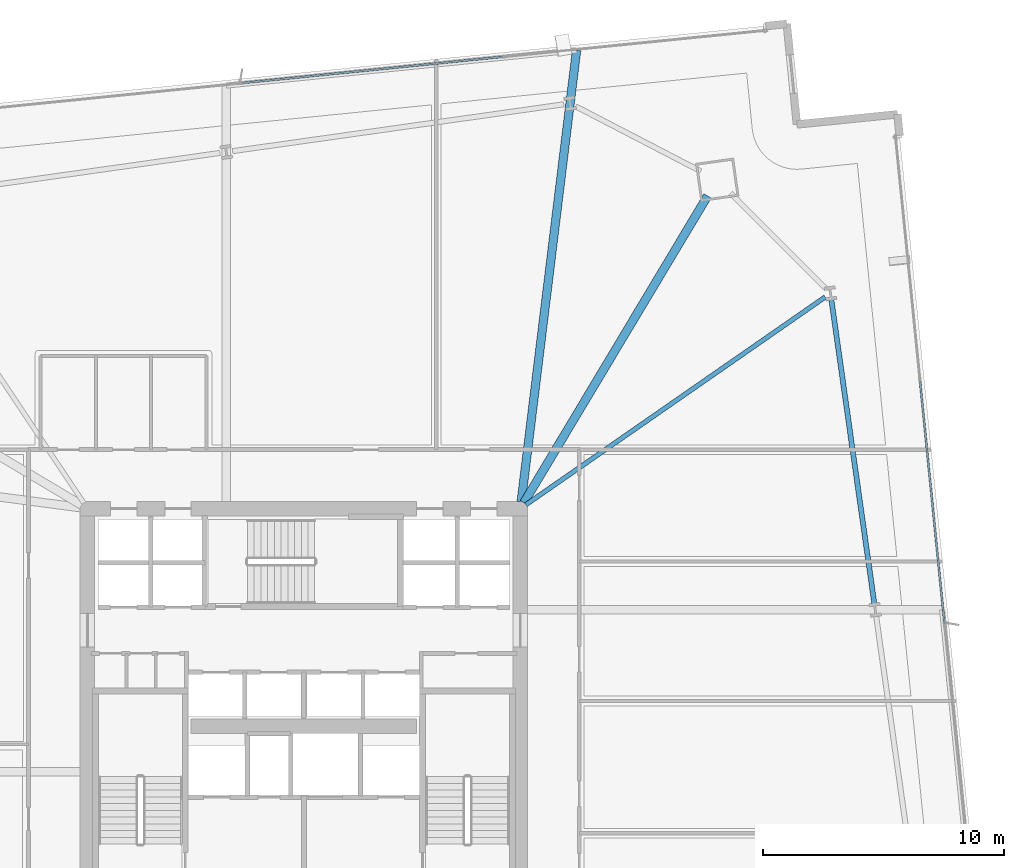
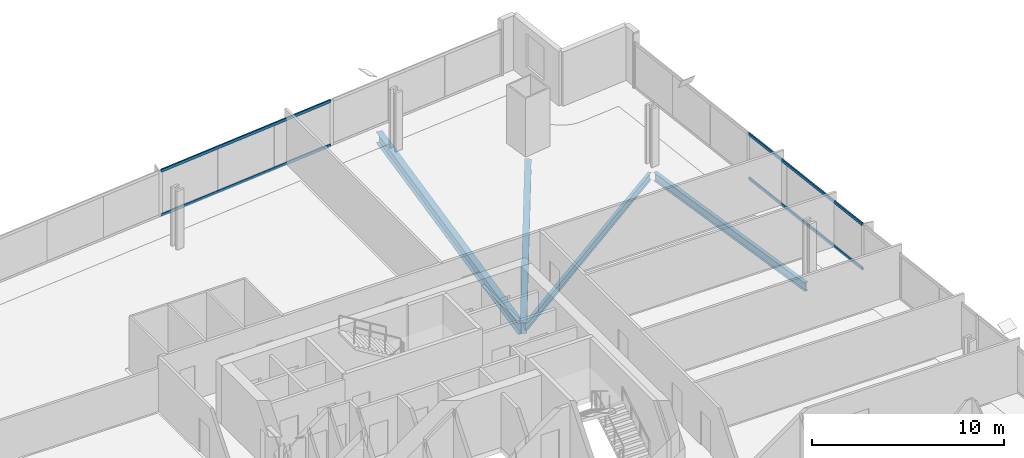
# One storey, part 20 of 33: 4 beams, 4 members, 2 elements without a shape of their own.
"""IFC4 building model written with IfcOpenShell, lengths in metres."""

from ifc_helpers import new_model, si_unit, direction, frame, origin, origin_2d, place, context, subcontext, project, spatial, hollow_rectangle, i_section, extrude, material, material_profile, profile_set, type_object, element, aggregate, save


model = new_model("IFC4")

# Units and contexts
model_context = context("Model", 3, precision=1e-05, world=origin(), true_north=direction((0.0, 1.0)))
body_context = subcontext(model_context, "Body", "Model", "MODEL_VIEW")
ifc_project = project(units=[si_unit("LENGTHUNIT", "METRE"), si_unit("AREAUNIT", "SQUARE_METRE"), si_unit("VOLUMEUNIT", "CUBIC_METRE"), si_unit("PLANEANGLEUNIT", "RADIAN"), si_unit("MASSUNIT", "GRAM", prefix="KILO")], contexts=[model_context])

# Site, building, storey
site_placement = place(None, origin())
site = spatial("IfcSite", under=ifc_project, at=site_placement, CompositionType="ELEMENT")
building_placement = place(site_placement, origin())
building = spatial("IfcBuilding", under=site, at=building_placement, Name="Haldenkirk Collegiate Tower", CompositionType="ELEMENT")
storey_placement = place(building_placement, frame((0.0, 0.0, 47.699951171875)))
storey = spatial("IfcBuildingStorey", under=building, at=storey_placement, Name="L10", CompositionType="ELEMENT", Elevation=47.699951171875)

# Beams
ifc_material_1 = material(Name="Steel ASTM A992 Grade 50", Category="steel")
ifc_material_profile_1 = material_profile(ifc_material_1, i_section(OverallWidth=0.35498046875, OverallDepth=0.696044921875, WebThickness=0.015380859375, FlangeThickness=0.02490234375, at=origin_2d()), Name="W27X146")
ifc_profile_set_1 = profile_set([ifc_material_profile_1], Name="Steel ASTM A992 Grade 50")
beam_type_1 = type_object("IfcBeamType", Name="BM-GIRDER-W27X146", PredefinedType="BEAM", material=ifc_profile_set_1)
beam_1_placement = place(storey_placement, frame((52.783935546875, 47.000732421875, -0.657958984375), z_axis=(-0.513696499257, -0.857971973115, 0.0), x_axis=(0.857971973115, -0.513696499257, 0.0)))
element("IfcBeam", 1, at=beam_1_placement, inside=storey, type_object=beam_type_1, Name="L10 primary floor girder 03", PredefinedType="BEAM", context=body_context, shape_type="SweptSolid", body=[
    extrude(i_section(OverallWidth=0.35498046875, OverallDepth=0.696044921875, WebThickness=0.015380859375, FlangeThickness=0.02490234375, at=origin_2d()), origin(), (0.0, 0.0, 1.0), 14.872802734375),
])
beam_2_placement = place(storey_placement, frame((47.336669921875, 53.052001953125, -0.657958984375), z_axis=(-0.121729343411, -0.992563331457, 0.0), x_axis=(0.992563331457, -0.121729343411, 0.0)))
element("IfcBeam", 2, at=beam_2_placement, inside=storey, type_object=beam_type_1, Name="L10 primary floor girder 11", PredefinedType="BEAM", context=body_context, shape_type="SweptSolid", body=[
    extrude(i_section(OverallWidth=0.35498046875, OverallDepth=0.696044921875, WebThickness=0.015380859375, FlangeThickness=0.02490234375, at=origin_2d()), origin(), (0.0, 0.0, 1.0), 18.914794921875),
])
ifc_material_profile_2 = material_profile(ifc_material_1, i_section(OverallWidth=0.19189453125, OverallDepth=0.462890625, WebThickness=0.010498046875, FlangeThickness=0.017578125, at=origin_2d()), Name="W18X60")
ifc_profile_set_2 = profile_set([ifc_material_profile_2], Name="Steel ASTM A992 Grade 50")
beam_type_2 = type_object("IfcBeamType", Name="BM-JOIST-W18X60", PredefinedType="JOIST", material=ifc_profile_set_2)
beam_3_placement = place(storey_placement, frame((57.675048828125, 42.7978515625, -0.54150390625), z_axis=(-0.821500606737, -0.570207640365, 0.0), x_axis=(0.570207640365, -0.821500606737, 0.0)))
element("IfcBeam", 3, at=beam_3_placement, inside=storey, type_object=beam_type_2, Name="L10 composite floor joist 10", PredefinedType="JOIST", context=body_context, shape_type="SweptSolid", body=[
    extrude(i_section(OverallWidth=0.19189453125, OverallDepth=0.462890625, WebThickness=0.010498046875, FlangeThickness=0.017578125, at=origin_2d()), origin(), (0.0, 0.0, 1.0), 15.149169921875),
])
ifc_material_profile_3 = material_profile(ifc_material_1, i_section(OverallWidth=0.2119140625, OverallDepth=0.5439453125, WebThickness=0.01318359375, FlangeThickness=0.021240234375, at=origin_2d()), Name="W21X83")
ifc_profile_set_3 = profile_set([ifc_material_profile_3], Name="Steel ASTM A992 Grade 50")
beam_type_3 = type_object("IfcBeamType", Name="BM-SPANDREL-W21X83", PredefinedType="SPANDREL", material=ifc_profile_set_3)
beam_4_placement = place(storey_placement, frame((59.716552734375, 30.050537109375, -0.58203125), z_axis=(-0.140052642207, 0.990144058918, 0.0), x_axis=(-0.990144058918, -0.140052642207, 0.0)))
element("IfcBeam", 4, at=beam_4_placement, inside=storey, type_object=beam_type_3, Name="L10 perimeter spandrel beam 07", PredefinedType="SPANDREL", context=body_context, shape_type="SweptSolid", body=[
    extrude(i_section(OverallWidth=0.2119140625, OverallDepth=0.5439453125, WebThickness=0.01318359375, FlangeThickness=0.021240234375, at=origin_2d()), origin(), (0.0, 0.0, 1.0), 12.761962890625),
])

# Curtain wall, members
ifc_material_2 = material(Name="Anodised architectural bronze aluminium", Category="aluminium")
curtain_wall_type = type_object("IfcCurtainWallType", Name="CW-SYS1-CONVEX-LOW", PredefinedType="USERDEFINED", material=ifc_material_2)
curtain_wall_1_placement = place(storey_placement, origin())
curtain_wall_1 = element("IfcCurtainWall", 5, at=curtain_wall_1_placement, inside=storey, type_object=curtain_wall_type, Name="L10 Lower tower convex bronze-framed unitised curtain wall", ObjectType="UNITISED CURTAIN WALL", PredefinedType="USERDEFINED")
ifc_material_profile_4 = material_profile(ifc_material_2, hollow_rectangle(XDim=0.080078125, YDim=0.179931640625, WallThickness=0.0048828125, at=origin_2d()), Name="CW-TRN-1A")
ifc_profile_set_4 = profile_set([ifc_material_profile_4], Name="Anodised architectural bronze aluminium")
member_type = type_object("IfcMemberType", Name="CW-TRN-1A", PredefinedType="USERDEFINED", material=ifc_profile_set_4)
member_1_placement = place(storey_placement, frame((61.6171875, 39.29345703125, 0.0400390625), z_axis=(0.100189214513, -0.994968402159, 0.0), x_axis=(0.994968402159, 0.100189214513, 0.0)))
member_1 = element("IfcMember", 6, at=member_1_placement, type_object=member_type, Name="CW-1A transom 2.1", ObjectType="TRANSOM", PredefinedType="USERDEFINED", context=body_context, shape_type="SweptSolid", body=[
    extrude(hollow_rectangle(XDim=0.080078125, YDim=0.179931640625, WallThickness=0.0048828125, at=origin_2d()), origin(), (0.0, 0.0, 1.0), 10.1201171875),
])
member_2_placement = place(storey_placement, frame((61.6171875, 39.29345703125, 2.85107421875), z_axis=(0.100189214513, -0.994968402159, 0.0), x_axis=(0.994968402159, 0.100189214513, 0.0)))
member_2 = element("IfcMember", 7, at=member_2_placement, type_object=member_type, Name="CW-1A transom 2.2", ObjectType="TRANSOM", PredefinedType="USERDEFINED", context=body_context, shape_type="SweptSolid", body=[
    extrude(hollow_rectangle(XDim=0.080078125, YDim=0.179931640625, WallThickness=0.0048828125, at=origin_2d()), origin(), (0.0, 0.0, 1.0), 10.1201171875),
])
aggregate(curtain_wall_1, [member_1, member_2])

curtain_wall_2_placement = place(storey_placement, origin())
curtain_wall_2 = element("IfcCurtainWall", 8, at=curtain_wall_2_placement, inside=storey, type_object=curtain_wall_type, Name="L10 Lower tower convex bronze-framed unitised curtain wall", ObjectType="UNITISED CURTAIN WALL", PredefinedType="USERDEFINED")
member_3_placement = place(storey_placement, frame((33.452880859375, 51.694091796875, 0.0400390625), z_axis=(0.994968015475, 0.100193054561, 0.0), x_axis=(-0.100193054561, 0.994968015475, 0.0)))
member_3 = element("IfcMember", 9, at=member_3_placement, type_object=member_type, Name="CW-1A transom 3.1", ObjectType="TRANSOM", PredefinedType="USERDEFINED", context=body_context, shape_type="SweptSolid", body=[
    extrude(hollow_rectangle(XDim=0.080078125, YDim=0.179931640625, WallThickness=0.0048828125, at=origin_2d()), origin(), (0.0, 0.0, 1.0), 10.8701171875),
])
member_4_placement = place(storey_placement, frame((33.452880859375, 51.694091796875, 2.85107421875), z_axis=(0.994968015475, 0.100193054561, 0.0), x_axis=(-0.100193054561, 0.994968015475, 0.0)))
member_4 = element("IfcMember", 10, at=member_4_placement, type_object=member_type, Name="CW-1A transom 3.2", ObjectType="TRANSOM", PredefinedType="USERDEFINED", context=body_context, shape_type="SweptSolid", body=[
    extrude(hollow_rectangle(XDim=0.080078125, YDim=0.179931640625, WallThickness=0.0048828125, at=origin_2d()), origin(), (0.0, 0.0, 1.0), 10.8701171875),
])
aggregate(curtain_wall_2, [member_3, member_4])

save(model, "model.ifc")
